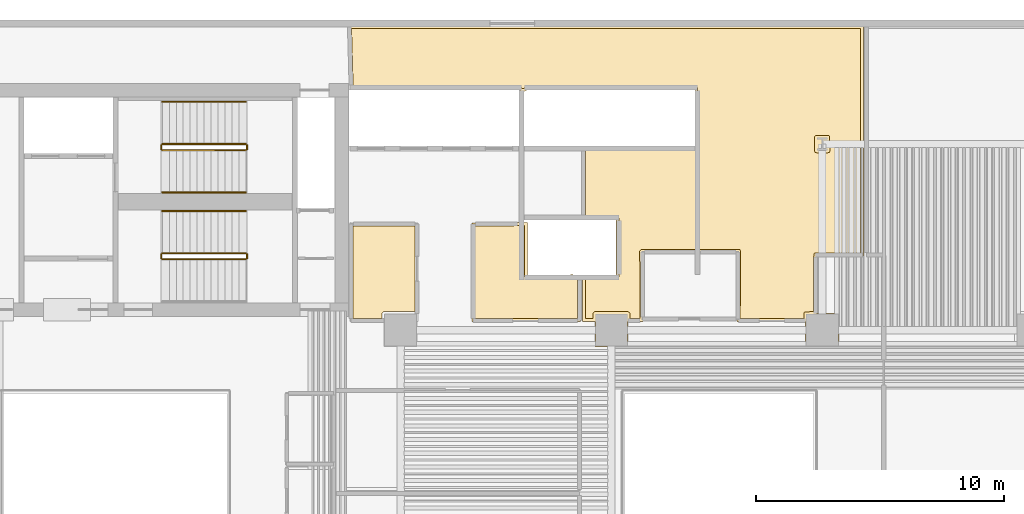
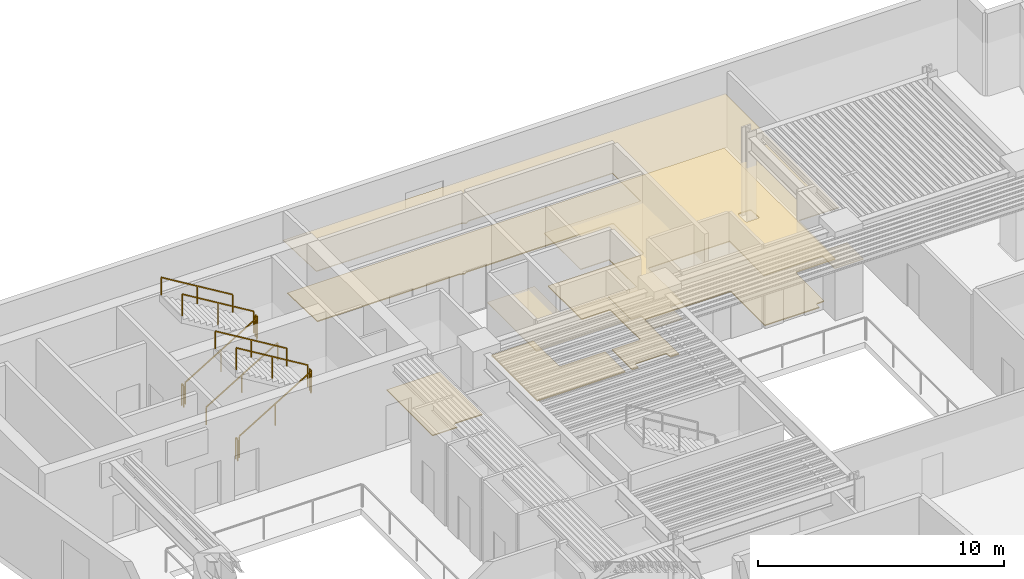
# One storey, part 10 of 11: 11 railings, 5 coverings.
"""IFC4 building model written with IfcOpenShell, lengths in metres."""

from ifc_helpers import new_model, si_unit, direction, frame, origin, origin_2d, place, context, subcontext, project, spatial, polyline, rectangle, outline, extrude, material, layer, layer_set, type_object, element, save


model = new_model("IFC4")

# Units and contexts
model_context = context("Model", 3, precision=1e-05, world=origin(), true_north=direction((0.0, 1.0)))
body_context = subcontext(model_context, "Body", "Model", "MODEL_VIEW")
ifc_project = project(units=[si_unit("LENGTHUNIT", "METRE"), si_unit("AREAUNIT", "SQUARE_METRE"), si_unit("VOLUMEUNIT", "CUBIC_METRE"), si_unit("PLANEANGLEUNIT", "RADIAN"), si_unit("MASSUNIT", "GRAM", prefix="KILO")], contexts=[model_context])

# Site, building, storey
site_placement = place(None, origin())
site = spatial("IfcSite", under=ifc_project, at=site_placement, CompositionType="ELEMENT")
building_placement = place(site_placement, origin())
building = spatial("IfcBuilding", under=site, at=building_placement, Name="Caeloran Harvest Quay", CompositionType="ELEMENT")
storey_placement = place(building_placement, frame((0.0, 0.0, 75.39990234375)))
storey = spatial("IfcBuildingStorey", under=building, at=storey_placement, Name="L17", CompositionType="ELEMENT", Elevation=75.39990234375)

# Coverings
ifc_material_1 = material(Name="Perforated Mineral-Fibre Acoustic Ceiling Tile", Category="ceiling")
ifc_layer_1 = layer(ifc_material_1, 0.0400390625, Name="Perforated Mineral-Fibre Acoustic Ceiling Tile")
ifc_layer_set_1 = layer_set([ifc_layer_1], Name="Perforated Mineral-Fibre Acoustic Ceiling Tile")
covering_type_1 = type_object("IfcCoveringType", Name="COV-CEILING-ACOUSTIC", PredefinedType="CEILING", material=ifc_layer_set_1)
covering_1_placement = place(storey_placement, frame((0.0, 0.0, 2.60009765625)))
element("IfcCovering", 1, at=covering_1_placement, inside=storey, type_object=covering_type_1, Name="Staff Wellness Lounge Acoustic Ceiling", PredefinedType="CEILING", context=body_context, shape_type="SweptSolid", body=[
    extrude(outline(polyline([(30.212890625, 35.31005859375), (30.22021484375, 35.330078125), (30.610107421875, 35.330078125), (30.610107421875, 33.2099609375), (32.34228515625, 33.2099609375), (32.34716796875, 33.22998046875), (32.45166015625, 33.235107421875), (32.457763671875, 33.2099609375), (32.760009765625, 33.2099609375), (32.760009765625, 31.340087890625), (28.389892578125, 31.340087890625), (28.389892578125, 35.31005859375), (30.212890625, 35.31005859375)])), origin(), (0.0, 0.0, 1.0), 0.0400390625),
])
covering_2_placement = place(storey_placement, frame((0.0, 0.0, 2.60009765625)))
element("IfcCovering", 2, at=covering_2_placement, inside=storey, type_object=covering_type_1, Name="Photobiology Spectrum Laboratory 11 Acoustic Ceiling", PredefinedType="CEILING", context=body_context, shape_type="SweptSolid", body=[
    extrude(outline(polyline([(33.330078125, 31.340087890625), (32.840087890625, 31.340087890625), (32.840087890625, 33.2099609375), (34.18994140625, 33.2099609375), (34.18994140625, 35.43994140625), (32.840087890625, 35.43994140625), (32.840087890625, 38.409912109375), (37.3701171875, 38.409912109375), (37.3701171875, 40.68994140625), (30.61083984375, 40.68994140625), (30.43994140625, 40.5888671875), (30.26904296875, 40.68994140625), (23.47119140625, 40.68994140625), (23.399658203125, 43.280029296875), (44.159912109375, 43.280029296875), (44.159912109375, 33.989990234375), (42.260009765625, 33.989990234375), (42.260009765625, 31.669921875), (43.169921875, 31.669921875), (43.169921875, 30.330078125), (41.830078125, 30.330078125), (41.830078125, 31.340087890625), (39.069580078125, 31.340087890625), (39.089599609375, 34.139892578125), (35.26025390625, 34.139892578125), (35.2802734375, 31.340087890625), (34.669921875, 31.340087890625), (34.669921875, 30.330078125), (33.330078125, 30.330078125), (33.330078125, 31.340087890625)])), origin(), (0.0, 0.0, 1.0), 0.0400390625),
])
ifc_material_2 = material(Name="Calcium-Sulphate Raised Access Floor and Terrazzo Finish", Category="flooring")
ifc_layer_2 = layer(ifc_material_2, 0.050048828125, Name="Calcium-Sulphate Raised Access Floor and Terrazzo Finish")
ifc_layer_set_2 = layer_set([ifc_layer_2], Name="Calcium-Sulphate Raised Access Floor and Terrazzo Finish")
covering_type_2 = type_object("IfcCoveringType", Name="COV-FLOOR-RAISED", PredefinedType="FLOORING", material=ifc_layer_set_2)
covering_3_placement = place(storey_placement, origin())
element("IfcCovering", 3, at=covering_3_placement, inside=storey, type_object=covering_type_2, Name="Staff Wellness Lounge Raised Finish Flooring", PredefinedType="FLOORING", context=body_context, shape_type="SweptSolid", body=[
    extrude(outline(polyline([(28.510009765625, 35.18994140625), (30.489990234375, 35.2099609375), (30.50634765625, 33.14208984375), (30.60009765625, 33.090087890625), (32.639892578125, 33.090087890625), (32.639892578125, 31.4599609375), (28.510009765625, 31.4599609375), (28.510009765625, 35.18994140625)])), origin(), (0.0, 0.0, 1.0), 0.050048828125),
])
covering_4_placement = place(storey_placement, origin())
element("IfcCovering", 4, at=covering_4_placement, inside=storey, type_object=covering_type_2, Name="Dwarf Citrus Mezzanine Growing Hall 9 Raised Finish Flooring", PredefinedType="FLOORING", context=body_context, shape_type="SweptSolid", body=[
    extrude(outline(polyline([(23.590087890625, 35.18994140625), (26.090087890625, 35.18994140625), (26.090087890625, 31.7451171875), (24.8271484375, 31.74462890625), (24.75830078125, 31.688232421875), (24.7548828125, 31.4599609375), (23.590087890625, 31.4599609375), (23.590087890625, 35.18994140625)])), origin(), (0.0, 0.0, 1.0), 0.050048828125),
])
covering_5_placement = place(storey_placement, origin())
element("IfcCovering", 5, at=covering_5_placement, inside=storey, type_object=covering_type_2, Name="Photobiology Spectrum Laboratory 11 Raised Finish Flooring", PredefinedType="FLOORING", context=body_context, shape_type="SweptSolid", body=[
    extrude(outline(polyline([(44.0400390625, 34.110107421875), (42.219970703125, 34.110107421875), (42.158203125, 34.080810546875), (42.139892578125, 31.7451171875), (41.79052734375, 31.7314453125), (41.75537109375, 31.6728515625), (41.7548828125, 31.4599609375), (39.190673828125, 31.4599609375), (39.2099609375, 34.179443359375), (39.174560546875, 34.246337890625), (35.204345703125, 34.25830078125), (35.139892578125, 34.179443359375), (35.159423828125, 31.4599609375), (34.7451171875, 31.4599609375), (34.74169921875, 31.688232421875), (34.6650390625, 31.7451171875), (33.3193359375, 31.743408203125), (33.256591796875, 31.6806640625), (33.2548828125, 31.4599609375), (32.9599609375, 31.4599609375), (32.9599609375, 33.090087890625), (34.23779296875, 33.09033203125), (34.291748046875, 33.119140625), (34.31005859375, 33.169921875), (34.300537109375, 35.517578125), (34.22998046875, 35.56005859375), (32.9599609375, 35.56005859375), (32.9599609375, 38.2900390625), (37.44775390625, 38.29931640625), (37.489990234375, 38.3701171875), (37.4716796875, 40.78076171875), (37.409912109375, 40.81005859375), (30.60009765625, 40.81005859375), (30.43994140625, 40.728271484375), (30.280029296875, 40.81005859375), (23.587890625, 40.81005859375), (23.523193359375, 43.159912109375), (44.0400390625, 43.159912109375), (44.0400390625, 34.110107421875)]), holes=[polyline([(42.8134765625, 38.22802734375), (42.79541015625, 38.82275390625), (42.7412109375, 38.8515625), (42.2666015625, 38.85205078125), (42.2099609375, 38.82861328125), (42.1865234375, 38.77197265625), (42.1865234375, 38.22802734375), (42.2099609375, 38.17138671875), (42.2666015625, 38.14794921875), (42.7333984375, 38.14794921875), (42.7900390625, 38.17138671875), (42.8134765625, 38.22802734375)])]), origin(), (0.0, 0.0, 1.0), 0.050048828125),
])

# Railings
ifc_material_3 = material(Name="Painted Steel Baluster and Top-Rail Stair Guard", Category="steel")
ifc_layer_3 = layer(ifc_material_3, 0.050048828125, Name="Painted Steel Baluster and Top-Rail Stair Guard")
ifc_layer_set_3 = layer_set([ifc_layer_3], Name="Painted Steel Baluster and Top-Rail Stair Guard")
railing_type_1 = type_object("IfcRailingType", Name="STAIR-GUARD-1100", PredefinedType="GUARDRAIL", material=ifc_layer_set_3)
railing_1_placement = place(storey_placement, frame((15.89990234375, 38.25, 0.16943359375)))
element("IfcRailing", 6, at=railing_1_placement, inside=storey, type_object=railing_type_1, Name="L17 ST-C1 stair guard 1", PredefinedType="GUARDRAIL", context=body_context, shape_type="SweptSolid", body=[
    extrude(rectangle(XDim=0.048095703125, YDim=0.048095703125, at=origin_2d()), frame((0.0, 0.0, 1.076171875), z_axis=(0.855836976705, 0.0, 0.517245656632), x_axis=(0.0, 1.0, 0.0)), (0.0, 0.0, 1.0), 3.926025390625),
    extrude(rectangle(XDim=0.0419921875, YDim=0.0419921875, at=origin_2d()), origin(), (0.0, 0.0, 1.0), 1.052001953125),
    extrude(rectangle(XDim=0.0419921875, YDim=0.0419921875, at=origin_2d()), frame((1.68017578125, 0.0, 1.015380859375)), (0.0, 0.0, 1.0), 1.052001953125),
    extrude(rectangle(XDim=0.0419921875, YDim=0.0419921875, at=origin_2d()), frame((3.360107421875, 0.0, 2.03076171875)), (0.0, 0.0, 1.0), 1.052001953125),
])
railing_2_placement = place(storey_placement, frame((19.31005859375, 38.300048828125, 2.2001953125)))
element("IfcRailing", 7, at=railing_2_placement, inside=storey, type_object=railing_type_1, Name="L17 ST-C1 stair guard 2", PredefinedType="GUARDRAIL", context=body_context, shape_type="SweptSolid", body=[
    extrude(rectangle(XDim=0.048095703125, YDim=0.048095703125, at=origin_2d()), frame((0.0, 0.0, 1.076171875), z_axis=(0.0, 1.0, 0.0), x_axis=(-1.0, 0.0, 0.0)), (0.0, 0.0, 1.0), 0.14990234375),
    extrude(rectangle(XDim=0.0419921875, YDim=0.0419921875, at=origin_2d()), origin(), (0.0, 0.0, 1.0), 1.052001953125),
    extrude(rectangle(XDim=0.0419921875, YDim=0.0419921875, at=origin_2d()), frame((0.0, 0.14990234375, 0.0)), (0.0, 0.0, 1.0), 1.052001953125),
])
railing_3_placement = place(storey_placement, frame((19.260009765625, 38.5, 2.369384765625)))
element("IfcRailing", 8, at=railing_3_placement, inside=storey, type_object=railing_type_1, Name="L17 ST-C1 stair guard 3", PredefinedType="GUARDRAIL", context=body_context, shape_type="SweptSolid", body=[
    extrude(rectangle(XDim=0.048095703125, YDim=0.048095703125, at=origin_2d()), frame((0.0, 0.0, 1.076171875), z_axis=(-0.855836976705, 0.0, 0.517245656632), x_axis=(0.0, -1.0, 0.0)), (0.0, 0.0, 1.0), 3.926025390625),
    extrude(rectangle(XDim=0.0419921875, YDim=0.0419921875, at=origin_2d()), origin(), (0.0, 0.0, 1.0), 1.052001953125),
    extrude(rectangle(XDim=0.0419921875, YDim=0.0419921875, at=origin_2d()), frame((-1.68017578125, 0.0, 1.015380859375)), (0.0, 0.0, 1.0), 1.052001953125),
    extrude(rectangle(XDim=0.0419921875, YDim=0.0419921875, at=origin_2d()), frame((-3.360107421875, 0.0, 2.03076171875)), (0.0, 0.0, 1.0), 1.052001953125),
])
railing_4_placement = place(storey_placement, frame((15.85009765625, 38.300048828125, 0.0)))
element("IfcRailing", 9, at=railing_4_placement, inside=storey, type_object=railing_type_1, Name="L17 ST-C1 stair guard 4", PredefinedType="GUARDRAIL", context=body_context, shape_type="SweptSolid", body=[
    extrude(rectangle(XDim=0.048095703125, YDim=0.048095703125, at=origin_2d()), frame((0.0, 0.0, 1.076171875), z_axis=(0.0, 1.0, 0.0), x_axis=(-1.0, 0.0, 0.0)), (0.0, 0.0, 1.0), 0.14990234375),
    extrude(rectangle(XDim=0.0419921875, YDim=0.0419921875, at=origin_2d()), origin(), (0.0, 0.0, 1.0), 1.052001953125),
    extrude(rectangle(XDim=0.0419921875, YDim=0.0419921875, at=origin_2d()), frame((0.0, 0.14990234375, 0.0)), (0.0, 0.0, 1.0), 1.052001953125),
])
railing_5_placement = place(storey_placement, frame((15.89990234375, 33.85009765625, 0.16943359375)))
element("IfcRailing", 10, at=railing_5_placement, inside=storey, type_object=railing_type_1, Name="L17 ST-C2 stair guard 1", PredefinedType="GUARDRAIL", context=body_context, shape_type="SweptSolid", body=[
    extrude(rectangle(XDim=0.048095703125, YDim=0.048095703125, at=origin_2d()), frame((0.0, 0.0, 1.076171875), z_axis=(0.855836976705, 0.0, 0.517245656632), x_axis=(0.0, 1.0, 0.0)), (0.0, 0.0, 1.0), 3.926025390625),
    extrude(rectangle(XDim=0.0419921875, YDim=0.0419921875, at=origin_2d()), origin(), (0.0, 0.0, 1.0), 1.052001953125),
    extrude(rectangle(XDim=0.0419921875, YDim=0.0419921875, at=origin_2d()), frame((1.68017578125, 0.0, 1.015380859375)), (0.0, 0.0, 1.0), 1.052001953125),
    extrude(rectangle(XDim=0.0419921875, YDim=0.0419921875, at=origin_2d()), frame((3.360107421875, 0.0, 2.03076171875)), (0.0, 0.0, 1.0), 1.052001953125),
])
railing_6_placement = place(storey_placement, frame((19.31005859375, 33.89990234375, 2.2001953125)))
element("IfcRailing", 11, at=railing_6_placement, inside=storey, type_object=railing_type_1, Name="L17 ST-C2 stair guard 2", PredefinedType="GUARDRAIL", context=body_context, shape_type="SweptSolid", body=[
    extrude(rectangle(XDim=0.048095703125, YDim=0.048095703125, at=origin_2d()), frame((0.0, 0.0, 1.076171875), z_axis=(0.0, 1.0, 0.0), x_axis=(-1.0, 0.0, 0.0)), (0.0, 0.0, 1.0), 0.150146484375),
    extrude(rectangle(XDim=0.0419921875, YDim=0.0419921875, at=origin_2d()), origin(), (0.0, 0.0, 1.0), 1.052001953125),
    extrude(rectangle(XDim=0.0419921875, YDim=0.0419921875, at=origin_2d()), frame((0.0, 0.150146484375, 0.0)), (0.0, 0.0, 1.0), 1.052001953125),
])
railing_7_placement = place(storey_placement, frame((19.260009765625, 34.10009765625, 2.369384765625)))
element("IfcRailing", 12, at=railing_7_placement, inside=storey, type_object=railing_type_1, Name="L17 ST-C2 stair guard 3", PredefinedType="GUARDRAIL", context=body_context, shape_type="SweptSolid", body=[
    extrude(rectangle(XDim=0.048095703125, YDim=0.048095703125, at=origin_2d()), frame((0.0, 0.0, 1.076171875), z_axis=(-0.855836976705, 0.0, 0.517245656632), x_axis=(0.0, -1.0, 0.0)), (0.0, 0.0, 1.0), 3.926025390625),
    extrude(rectangle(XDim=0.0419921875, YDim=0.0419921875, at=origin_2d()), origin(), (0.0, 0.0, 1.0), 1.052001953125),
    extrude(rectangle(XDim=0.0419921875, YDim=0.0419921875, at=origin_2d()), frame((-1.68017578125, 0.0, 1.015380859375)), (0.0, 0.0, 1.0), 1.052001953125),
    extrude(rectangle(XDim=0.0419921875, YDim=0.0419921875, at=origin_2d()), frame((-3.360107421875, 0.0, 2.03076171875)), (0.0, 0.0, 1.0), 1.052001953125),
])
railing_8_placement = place(storey_placement, frame((15.85009765625, 33.89990234375, 0.0)))
element("IfcRailing", 13, at=railing_8_placement, inside=storey, type_object=railing_type_1, Name="L17 ST-C2 stair guard 4", PredefinedType="GUARDRAIL", context=body_context, shape_type="SweptSolid", body=[
    extrude(rectangle(XDim=0.048095703125, YDim=0.048095703125, at=origin_2d()), frame((0.0, 0.0, 1.076171875), z_axis=(0.0, 1.0, 0.0), x_axis=(-1.0, 0.0, 0.0)), (0.0, 0.0, 1.0), 0.150146484375),
    extrude(rectangle(XDim=0.0419921875, YDim=0.0419921875, at=origin_2d()), origin(), (0.0, 0.0, 1.0), 1.052001953125),
    extrude(rectangle(XDim=0.0419921875, YDim=0.0419921875, at=origin_2d()), frame((0.0, 0.150146484375, 0.0)), (0.0, 0.0, 1.0), 1.052001953125),
])
ifc_material_4 = material(Name="Brushed Stainless Steel Grade 304", Category="steel")
ifc_layer_4 = layer(ifc_material_4, 0.050048828125, Name="Brushed Stainless Steel Grade 304")
ifc_layer_set_4 = layer_set([ifc_layer_4], Name="Brushed Stainless Steel Grade 304")
railing_type_2 = type_object("IfcRailingType", Name="STAIR-HANDRAIL-900", PredefinedType="HANDRAIL", material=ifc_layer_set_4)
railing_9_placement = place(storey_placement, frame((15.89990234375, 36.550048828125, 0.16943359375)))
element("IfcRailing", 14, at=railing_9_placement, inside=storey, type_object=railing_type_2, Name="L17 ST-C1 stair handrail 1", PredefinedType="HANDRAIL", context=body_context, shape_type="SweptSolid", body=[
    extrude(rectangle(XDim=0.048095703125, YDim=0.048095703125, at=origin_2d()), frame((0.0, 0.0, 0.8759765625), z_axis=(0.855836976705, 0.0, 0.517245656632), x_axis=(0.0, 1.0, 0.0)), (0.0, 0.0, 1.0), 3.926025390625),
    extrude(rectangle(XDim=0.0419921875, YDim=0.0419921875, at=origin_2d()), origin(), (0.0, 0.0, 1.0), 0.851806640625),
    extrude(rectangle(XDim=0.0419921875, YDim=0.0419921875, at=origin_2d()), frame((1.68017578125, 0.0, 1.015380859375)), (0.0, 0.0, 1.0), 0.851806640625),
    extrude(rectangle(XDim=0.0419921875, YDim=0.0419921875, at=origin_2d()), frame((3.360107421875, 0.0, 2.03076171875)), (0.0, 0.0, 1.0), 0.851806640625),
])
for number, where, name in (
    (15, (19.260009765625, 40.199951171875, 2.369384765625), "L17 ST-C1 stair handrail 2"),
    (16, (19.260009765625, 35.800048828125, 2.369384765625), "L17 ST-C2 stair handrail 2"),
):
    element("IfcRailing", number, at=place(storey_placement, frame(where)), inside=storey, type_object=railing_type_2, Name=name, PredefinedType="HANDRAIL", context=body_context, shape_type="SweptSolid", body=[
        extrude(rectangle(XDim=0.048095703125, YDim=0.048095703125, at=origin_2d()), frame((0.0, 0.0, 0.8759765625), z_axis=(-0.855836976705, 0.0, 0.517245656632), x_axis=(0.0, -1.0, 0.0)), (0.0, 0.0, 1.0), 3.926025390625),
        extrude(rectangle(XDim=0.0419921875, YDim=0.0419921875, at=origin_2d()), origin(), (0.0, 0.0, 1.0), 0.851806640625),
        extrude(rectangle(XDim=0.0419921875, YDim=0.0419921875, at=origin_2d()), frame((-1.68017578125, 0.0, 1.015380859375)), (0.0, 0.0, 1.0), 0.851806640625),
        extrude(rectangle(XDim=0.0419921875, YDim=0.0419921875, at=origin_2d()), frame((-3.360107421875, 0.0, 2.03076171875)), (0.0, 0.0, 1.0), 0.851806640625),
    ])

save(model, "model.ifc")
